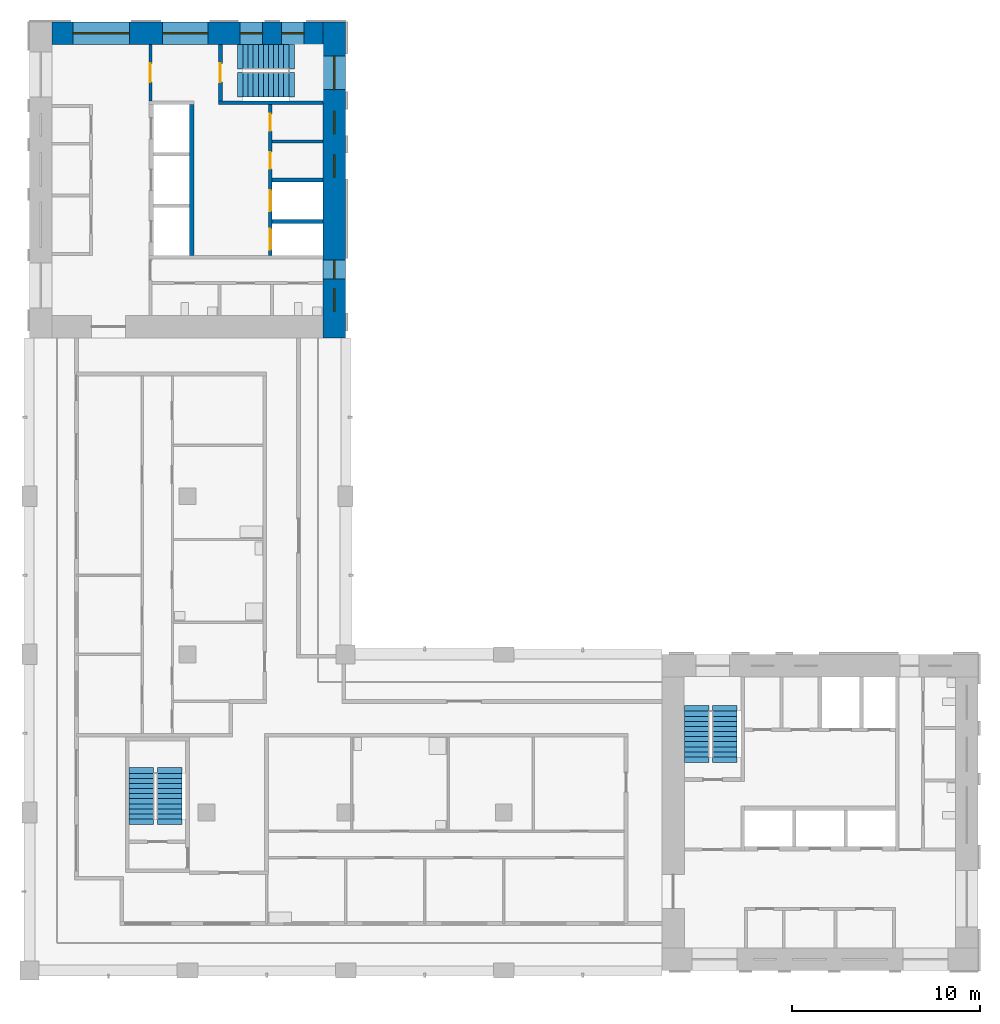
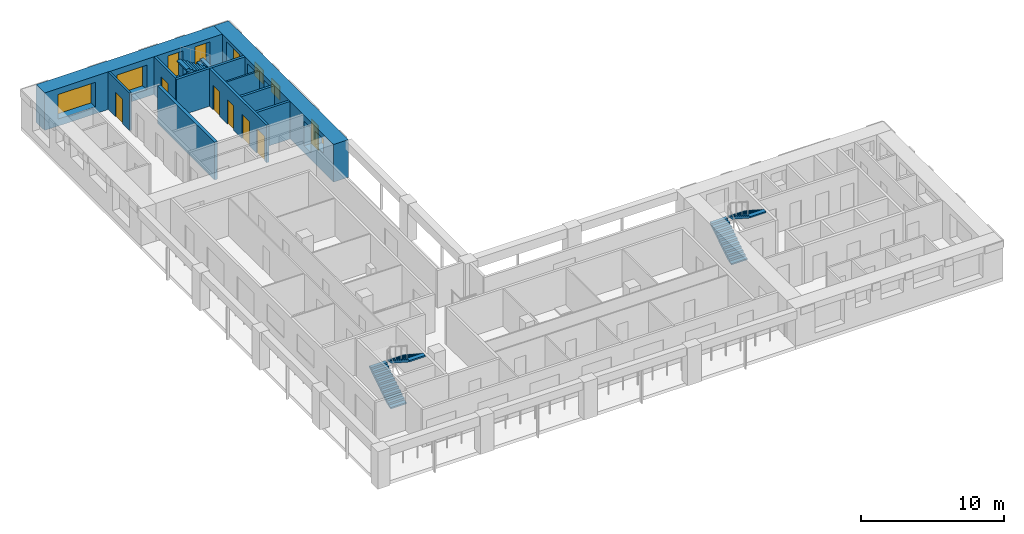
# One storey, part 6 of 9: 10 walls, 9 windows, 6 doors, 6 stair flights, 15 openings, 3 elements without a shape of their own.
"""IFC4 building model written with IfcOpenShell, lengths in metres."""

from ifc_helpers import new_model, si_unit, direction, frame, frame_2d, origin, place, context, subcontext, project, spatial, polyline, rectangle, outline, extrude, material, layer, layer_set, type_object, element, fill, aggregate, save


model = new_model("IFC4")

# Units and contexts
model_context = context("Model", 3, precision=1e-05, world=origin(), true_north=direction((0.0, 1.0)))
body_context = subcontext(model_context, "Body", "Model", "MODEL_VIEW")
ifc_project = project(units=[si_unit("LENGTHUNIT", "METRE"), si_unit("AREAUNIT", "SQUARE_METRE"), si_unit("VOLUMEUNIT", "CUBIC_METRE"), si_unit("PLANEANGLEUNIT", "RADIAN"), si_unit("MASSUNIT", "GRAM", prefix="KILO")], contexts=[model_context])

# Site, building, storey
site_placement = place(None, origin())
site = spatial("IfcSite", under=ifc_project, at=site_placement, CompositionType="ELEMENT")
building_placement = place(site_placement, origin())
building = spatial("IfcBuilding", under=site, at=building_placement, Name="Vermilion Gate Residences", CompositionType="ELEMENT")
storey_placement = place(building_placement, frame((0.0, 0.0, 228.199951171875)))
storey = spatial("IfcBuildingStorey", under=building, at=storey_placement, Name="L59", CompositionType="ELEMENT", Elevation=228.199951171875)

# Wall
ifc_material_1 = material(Name="Masonry blockwork", Category="masonry")
ifc_layer_1 = layer(ifc_material_1, 0.14990234375)
ifc_layer_set_1 = layer_set([ifc_layer_1], Name="BLOCKWORK PARTITION 150 EI 120")
wall_type_1 = type_object("IfcWallType", Name="BLOCKWORK PARTITION 150 EI 120", PredefinedType="PARTITIONING", material=ifc_layer_set_1)
wall_1_placement = place(storey_placement, frame((21.300048828125, 52.449951171875, 0.0), z_axis=(0.0, 0.0, 1.0), x_axis=(1.0, 0.0, 0.0)))
element("IfcWall", 1, at=wall_1_placement, inside=storey, type_object=wall_type_1, Name="Core room partition B59-NR-P0", PredefinedType="PARTITIONING", context=body_context, shape_type="SweptSolid", body=[
    extrude(rectangle(XDim=2.699951171875, YDim=0.14990234375, at=frame_2d((1.35009765625, 0.0))), origin(), (0.0, 0.0, 1.0), 3.219970703125),
])

# Wall, opening, door
wall_2_placement = place(storey_placement, frame((14.824951171875, 57.60009765625, 0.0), z_axis=(0.0, 0.0, 1.0), x_axis=(0.0, -1.0, 0.0)))
wall_2 = element("IfcWall", 2, at=wall_2_placement, inside=storey, type_object=wall_type_1, Name="Core room partition B59-VW-S", PredefinedType="PARTITIONING", context=body_context, shape_type="SweptSolid", body=[
    extrude(rectangle(XDim=3.0, YDim=0.14990234375, at=frame_2d((1.5, 0.0))), origin(), (0.0, 0.0, 1.0), 3.219970703125),
])
opening_1_placement = place(wall_2_placement, frame((1.0, 0.0, 0.0)))
opening_1 = element("IfcOpeningElement", 3, at=opening_1_placement, cuts=wall_2, Name="Opening DK59112", PredefinedType="OPENING", context=body_context, shape_type="SweptSolid", body=[
    extrude(rectangle(XDim=1.0, YDim=2.10009765625, at=frame_2d((0.5, 1.050048828125))), frame((0.0, 0.0849609375, 0.0), z_axis=(0.0, -1.0, 0.0), x_axis=(1.0, 0.0, 0.0)), (0.0, 0.0, 1.0), 0.169921875),
])
ifc_material_2 = material(Name="Steel", Category="steel")
door_type_1 = type_object("IfcDoorType", Name="FIRE DOOR FD60 1000 X 2100", OperationType="SINGLE_SWING_LEFT", PredefinedType="DOOR", material=ifc_material_2)
door_1_placement = place(opening_1_placement, frame((1.0, 0.0, 0.0), z_axis=(0.0, 0.0, 1.0), x_axis=(-1.0, 0.0, 0.0)))
door_1 = element("IfcDoor", 4, at=door_1_placement, inside=storey, type_object=door_type_1, Name="Stair vestibule door B59", OperationType="SINGLE_SWING_RIGHT", OverallHeight=2.10009765625, OverallWidth=1.0, PredefinedType="DOOR", context=body_context, shape_type="SweptSolid", body=[
    extrude(rectangle(XDim=1.0, YDim=2.10009765625, at=frame_2d((0.5, 1.050048828125))), frame((0.0, 0.02490234375, 0.0), z_axis=(0.0, -1.0, 0.0), x_axis=(1.0, 0.0, 0.0)), (0.0, 0.0, 1.0), 0.050048828125),
])
fill(opening_1, door_1)

# Walls
ifc_material_3 = material(Name="Concrete C60", Category="concrete")
ifc_layer_2 = layer(ifc_material_3, 0.199951171875)
ifc_layer_set_2 = layer_set([ifc_layer_2], Name="RC CORE INTERNAL WALL 200 C60")
wall_type_2 = type_object("IfcWallType", Name="RC CORE INTERNAL WALL 200 C60", PredefinedType="SHEAR", material=ifc_layer_set_2)
for number, where, z_axis, x_axis, name in (
    (5, (21.300048828125, 50.39990234375, 0.0), (0.0, 0.0, 1.0), (1.0, 0.0, 0.0), "Core internal wall B59-FF-D0"),
    (6, (21.300048828125, 48.199951171875, 0.0), (0.0, 0.0, 1.0), (1.0, 0.0, 0.0), "Core internal wall B59-FF-D1"),
):
    element("IfcWall", number, at=place(storey_placement, frame(where, z_axis=z_axis, x_axis=x_axis)), inside=storey, type_object=wall_type_2, Name=name, PredefinedType="SHEAR", context=body_context, shape_type="SweptSolid", body=[
        extrude(rectangle(XDim=2.699951171875, YDim=0.199951171875, at=frame_2d((1.35009765625, 0.0))), origin(), (0.0, 0.0, 1.0), 3.219970703125),
    ])

# Wall, openings, doors
wall_3_placement = place(storey_placement, frame((21.199951171875, 54.39990234375, 0.0), z_axis=(0.0, 0.0, 1.0), x_axis=(0.0, -1.0, 0.0)))
wall_3 = element("IfcWall", 7, at=wall_3_placement, inside=storey, type_object=wall_type_2, Name="Core internal wall B59-FF-F", PredefinedType="SHEAR", context=body_context, shape_type="SweptSolid", body=[
    extrude(rectangle(XDim=8.0, YDim=0.199951171875, at=frame_2d((4.0, 0.0))), origin(), (0.0, 0.0, 1.0), 3.219970703125),
])
opening_2_placement = place(wall_3_placement, frame((0.487548828125, 0.0, 0.0)))
opening_2 = element("IfcOpeningElement", 8, at=opening_2_placement, cuts=wall_3, Name="Opening DK59108", PredefinedType="OPENING", context=body_context, shape_type="SweptSolid", body=[
    extrude(rectangle(XDim=0.89990234375, YDim=2.10009765625, at=frame_2d((0.449951171875, 1.050048828125))), frame((0.0, 0.10986328125, 0.0), z_axis=(0.0, -1.0, 0.0), x_axis=(1.0, 0.0, 0.0)), (0.0, 0.0, 1.0), 0.219970703125),
])
opening_3_placement = place(wall_3_placement, frame((2.512451171875, 0.0, 0.0)))
opening_3 = element("IfcOpeningElement", 9, at=opening_3_placement, cuts=wall_3, Name="Opening DK59109", PredefinedType="OPENING", context=body_context, shape_type="SweptSolid", body=[
    extrude(rectangle(XDim=0.89990234375, YDim=2.10009765625, at=frame_2d((0.449951171875, 1.050048828125))), frame((0.0, 0.10986328125, 0.0), z_axis=(0.0, -1.0, 0.0), x_axis=(1.0, 0.0, 0.0)), (0.0, 0.0, 1.0), 0.219970703125),
])
opening_4_placement = place(wall_3_placement, frame((4.550048828125, 0.0, 0.0)))
opening_4 = element("IfcOpeningElement", 10, at=opening_4_placement, cuts=wall_3, Name="Opening LD", PredefinedType="OPENING", context=body_context, shape_type="SweptSolid", body=[
    extrude(rectangle(XDim=1.10009765625, YDim=2.10009765625, at=frame_2d((0.550048828125, 1.050048828125))), frame((0.0, 0.10986328125, 0.0), z_axis=(0.0, -1.0, 0.0), x_axis=(1.0, 0.0, 0.0)), (0.0, 0.0, 1.0), 0.219970703125),
])
opening_5_placement = place(wall_3_placement, frame((6.60009765625, 0.0, 0.0)))
opening_5 = element("IfcOpeningElement", 11, at=opening_5_placement, cuts=wall_3, Name="Opening LD", PredefinedType="OPENING", context=body_context, shape_type="SweptSolid", body=[
    extrude(rectangle(XDim=1.10009765625, YDim=2.10009765625, at=frame_2d((0.550048828125, 1.050048828125))), frame((0.0, 0.10986328125, 0.0), z_axis=(0.0, -1.0, 0.0), x_axis=(1.0, 0.0, 0.0)), (0.0, 0.0, 1.0), 0.219970703125),
])
ifc_material_4 = material(Name="Stainless steel", Category="steel")
door_type_2 = type_object("IfcDoorType", Name="LIFT LANDING DOOR E60 1100 X 2100", OperationType="DOUBLE_DOOR_SLIDING", PredefinedType="DOOR", material=ifc_material_4)
door_2_placement = place(opening_4_placement, origin())
door_2 = element("IfcDoor", 12, at=door_2_placement, inside=storey, type_object=door_type_2, Name="Lift landing door LFB1", OperationType="DOUBLE_DOOR_SLIDING", OverallHeight=2.10009765625, OverallWidth=1.10009765625, PredefinedType="DOOR", context=body_context, shape_type="SweptSolid", body=[
    extrude(rectangle(XDim=1.10009765625, YDim=2.10009765625, at=frame_2d((0.550048828125, 1.050048828125))), frame((0.0, 0.02490234375, 0.0), z_axis=(0.0, -1.0, 0.0), x_axis=(1.0, 0.0, 0.0)), (0.0, 0.0, 1.0), 0.050048828125),
])
fill(opening_4, door_2)
door_3_placement = place(opening_5_placement, origin())
door_3 = element("IfcDoor", 13, at=door_3_placement, inside=storey, type_object=door_type_2, Name="Lift landing door LCB1", OperationType="DOUBLE_DOOR_SLIDING", OverallHeight=2.10009765625, OverallWidth=1.10009765625, PredefinedType="DOOR", context=body_context, shape_type="SweptSolid", body=[
    extrude(rectangle(XDim=1.10009765625, YDim=2.10009765625, at=frame_2d((0.550048828125, 1.050048828125))), frame((0.0, 0.02490234375, 0.0), z_axis=(0.0, -1.0, 0.0), x_axis=(1.0, 0.0, 0.0)), (0.0, 0.0, 1.0), 0.050048828125),
])
fill(opening_5, door_3)
ifc_material_5 = material(Name="Steel", Category="steel")
door_type_3 = type_object("IfcDoorType", Name="SERVICE ROOM DOOR FD60 900 X 2100", OperationType="SINGLE_SWING_LEFT", PredefinedType="DOOR", material=ifc_material_5)
door_4_placement = place(opening_2_placement, origin())
door_4 = element("IfcDoor", 14, at=door_4_placement, inside=storey, type_object=door_type_3, Name="Housekeeping store B59", OperationType="SINGLE_SWING_RIGHT", OverallHeight=2.10009765625, OverallWidth=0.89990234375, PredefinedType="DOOR", context=body_context, shape_type="SweptSolid", body=[
    extrude(rectangle(XDim=0.89990234375, YDim=2.10009765625, at=frame_2d((0.449951171875, 1.050048828125))), frame((0.0, 0.02490234375, 0.0), z_axis=(0.0, -1.0, 0.0), x_axis=(1.0, 0.0, 0.0)), (0.0, 0.0, 1.0), 0.050048828125),
])
fill(opening_2, door_4)
door_5_placement = place(opening_3_placement, origin())
door_5 = element("IfcDoor", 15, at=door_5_placement, inside=storey, type_object=door_type_3, Name="Mail room B59", OperationType="SINGLE_SWING_RIGHT", OverallHeight=2.10009765625, OverallWidth=0.89990234375, PredefinedType="DOOR", context=body_context, shape_type="SweptSolid", body=[
    extrude(rectangle(XDim=0.89990234375, YDim=2.10009765625, at=frame_2d((0.449951171875, 1.050048828125))), frame((0.0, 0.02490234375, 0.0), z_axis=(0.0, -1.0, 0.0), x_axis=(1.0, 0.0, 0.0)), (0.0, 0.0, 1.0), 0.050048828125),
])
fill(opening_3, door_5)

# Wall
wall_4_placement = place(storey_placement, frame((18.449951171875, 54.5, 0.0), z_axis=(0.0, 0.0, 1.0), x_axis=(1.0, 0.0, 0.0)))
element("IfcWall", 16, at=wall_4_placement, inside=storey, type_object=wall_type_2, Name="Core internal wall B59-WDIV2", PredefinedType="SHEAR", context=body_context, shape_type="SweptSolid", body=[
    extrude(rectangle(XDim=5.550048828125, YDim=0.199951171875, at=frame_2d((2.77490234375, 0.0))), origin(), (0.0, 0.0, 1.0), 3.219970703125),
])

# Wall, opening, door
wall_5_placement = place(storey_placement, frame((18.550048828125, 57.60009765625, 0.0), z_axis=(0.0, 0.0, 1.0), x_axis=(0.0, -1.0, 0.0)))
wall_5 = element("IfcWall", 17, at=wall_5_placement, inside=storey, type_object=wall_type_2, Name="Core internal wall B59-STW-S", PredefinedType="SHEAR", context=body_context, shape_type="SweptSolid", body=[
    extrude(rectangle(XDim=3.0, YDim=0.199951171875, at=frame_2d((1.5, 0.0))), origin(), (0.0, 0.0, 1.0), 3.219970703125),
])
opening_6_placement = place(wall_5_placement, frame((1.0, 0.0, 0.0)))
opening_6 = element("IfcOpeningElement", 18, at=opening_6_placement, cuts=wall_5, Name="Opening DK59113", PredefinedType="OPENING", context=body_context, shape_type="SweptSolid", body=[
    extrude(rectangle(XDim=1.0, YDim=2.10009765625, at=frame_2d((0.5, 1.050048828125))), frame((0.0, 0.10986328125, 0.0), z_axis=(0.0, -1.0, 0.0), x_axis=(1.0, 0.0, 0.0)), (0.0, 0.0, 1.0), 0.219970703125),
])
door_6_placement = place(opening_6_placement, origin())
door_6 = element("IfcDoor", 19, at=door_6_placement, inside=storey, type_object=door_type_1, Name="Stair door B59", OperationType="SINGLE_SWING_LEFT", OverallHeight=2.10009765625, OverallWidth=1.0, PredefinedType="DOOR", context=body_context, shape_type="SweptSolid", body=[
    extrude(rectangle(XDim=1.0, YDim=2.10009765625, at=frame_2d((0.5, 1.050048828125))), frame((0.0, 0.02490234375, 0.0), z_axis=(0.0, -1.0, 0.0), x_axis=(1.0, 0.0, 0.0)), (0.0, 0.0, 1.0), 0.050048828125),
])
fill(opening_6, door_6)

# Wall, openings, windows
ifc_material_6 = material(Name="Concrete C50 red-oxide pigmented", Category="concrete")
ifc_layer_3 = layer(ifc_material_6, 1.199951171875)
ifc_layer_set_3 = layer_set([ifc_layer_3], Name="RC CORE WALL 1200 C50 RED OXIDE")
wall_type_3 = type_object("IfcWallType", Name="RC CORE WALL 1200 C50 RED OXIDE", PredefinedType="SHEAR", material=ifc_layer_set_3)
wall_6_placement = place(storey_placement, frame((24.60009765625, 58.800048828125, 0.0), z_axis=(0.0, 0.0, 1.0), x_axis=(0.0, -1.0, 0.0)))
wall_6 = element("IfcWall", 20, at=wall_6_placement, inside=storey, type_object=wall_type_3, Name="Core wall B59-OUT-B1", PredefinedType="SHEAR", context=body_context, shape_type="SweptSolid", body=[
    extrude(rectangle(XDim=16.800048828125, YDim=1.199951171875, at=frame_2d((8.39990234375, 0.0))), origin(), (0.0, 0.0, 1.0), 3.219970703125),
])
opening_7_placement = place(wall_6_placement, frame((1.800048828125, 0.0, 0.5)))
opening_7 = element("IfcOpeningElement", 21, at=opening_7_placement, cuts=wall_6, Name="Opening WKB5906", PredefinedType="OPENING", context=body_context, shape_type="SweptSolid", body=[
    extrude(rectangle(XDim=1.800048828125, YDim=2.39990234375, at=frame_2d((0.89990234375, 1.199951171875))), frame((0.0, 0.60986328125, 0.0), z_axis=(0.0, -1.0, 0.0), x_axis=(1.0, 0.0, 0.0)), (0.0, 0.0, 1.0), 1.219970703125),
])
opening_8_placement = place(wall_6_placement, frame((4.737548828125, 0.0, 1.60009765625)))
opening_8 = element("IfcOpeningElement", 22, at=opening_8_placement, cuts=wall_6, Name="Opening WKB5907", PredefinedType="OPENING", context=body_context, shape_type="SweptSolid", body=[
    extrude(rectangle(XDim=1.199951171875, YDim=1.199951171875, at=frame_2d((0.60009765625, 0.60009765625))), frame((0.0, 0.60986328125, 0.0), z_axis=(0.0, -1.0, 0.0), x_axis=(1.0, 0.0, 0.0)), (0.0, 0.0, 1.0), 1.219970703125),
])
opening_9_placement = place(wall_6_placement, frame((7.050048828125, 0.0, 1.60009765625)))
opening_9 = element("IfcOpeningElement", 23, at=opening_9_placement, cuts=wall_6, Name="Opening WKB5908", PredefinedType="OPENING", context=body_context, shape_type="SweptSolid", body=[
    extrude(rectangle(XDim=1.199951171875, YDim=1.199951171875, at=frame_2d((0.60009765625, 0.60009765625))), frame((0.0, 0.60986328125, 0.0), z_axis=(0.0, -1.0, 0.0), x_axis=(1.0, 0.0, 0.0)), (0.0, 0.0, 1.0), 1.219970703125),
])
opening_10_placement = place(wall_6_placement, frame((12.64990234375, 0.0, 0.60009765625)))
opening_10 = element("IfcOpeningElement", 24, at=opening_10_placement, cuts=wall_6, Name="Opening WKB5909", PredefinedType="OPENING", context=body_context, shape_type="SweptSolid", body=[
    extrude(rectangle(XDim=1.0, YDim=2.10009765625, at=frame_2d((0.5, 1.050048828125))), frame((0.0, 0.60986328125, 0.0), z_axis=(0.0, -1.0, 0.0), x_axis=(1.0, 0.0, 0.0)), (0.0, 0.0, 1.0), 1.219970703125),
])
opening_11_placement = place(wall_6_placement, frame((14.175048828125, 0.0, 1.60009765625)))
opening_11 = element("IfcOpeningElement", 25, at=opening_11_placement, cuts=wall_6, Name="Opening WKB5910", PredefinedType="OPENING", context=body_context, shape_type="SweptSolid", body=[
    extrude(rectangle(XDim=1.199951171875, YDim=1.199951171875, at=frame_2d((0.60009765625, 0.60009765625))), frame((0.0, 0.60986328125, 0.0), z_axis=(0.0, -1.0, 0.0), x_axis=(1.0, 0.0, 0.0)), (0.0, 0.0, 1.0), 1.219970703125),
])
ifc_material_7 = material(Name="Aluminium and clear glass", Category="aluminium")
window_type_1 = type_object("IfcWindowType", Name="CORE CORRIDOR WINDOW 1000 X 2100", PartitioningType="SINGLE_PANEL", PredefinedType="WINDOW", material=ifc_material_7)
window_1_placement = place(opening_10_placement, origin())
window_1 = element("IfcWindow", 26, at=window_1_placement, inside=storey, type_object=window_type_1, Name="Core corridor window", OverallHeight=2.10009765625, OverallWidth=1.0, PartitioningType="SINGLE_PANEL", PredefinedType="WINDOW", context=body_context, shape_type="SweptSolid", body=[
    extrude(rectangle(XDim=1.0, YDim=2.10009765625, at=frame_2d((0.5, 1.050048828125))), frame((0.0, 0.030029296875, 0.0), z_axis=(0.0, -1.0, 0.0), x_axis=(1.0, 0.0, 0.0)), (0.0, 0.0, 1.0), 0.06005859375),
])
fill(opening_10, window_1)
ifc_material_8 = material(Name="Aluminium frame with louvre blades", Category="aluminium")
window_type_2 = type_object("IfcWindowType", Name="CORE LOUVRE 1200 X 1200", PartitioningType="SINGLE_PANEL", PredefinedType="WINDOW", material=ifc_material_8)
window_2_placement = place(opening_8_placement, origin())
window_2 = element("IfcWindow", 27, at=window_2_placement, inside=storey, type_object=window_type_2, Name="Core louvre", OverallHeight=1.199951171875, OverallWidth=1.199951171875, PartitioningType="SINGLE_PANEL", PredefinedType="WINDOW", context=body_context, shape_type="SweptSolid", body=[
    extrude(rectangle(XDim=1.199951171875, YDim=1.199951171875, at=frame_2d((0.60009765625, 0.60009765625))), frame((0.0, 0.030029296875, 0.0), z_axis=(0.0, -1.0, 0.0), x_axis=(1.0, 0.0, 0.0)), (0.0, 0.0, 1.0), 0.06005859375),
])
fill(opening_8, window_2)
window_3_placement = place(opening_9_placement, origin())
window_3 = element("IfcWindow", 28, at=window_3_placement, inside=storey, type_object=window_type_2, Name="Core louvre", OverallHeight=1.199951171875, OverallWidth=1.199951171875, PartitioningType="SINGLE_PANEL", PredefinedType="WINDOW", context=body_context, shape_type="SweptSolid", body=[
    extrude(rectangle(XDim=1.199951171875, YDim=1.199951171875, at=frame_2d((0.60009765625, 0.60009765625))), frame((0.0, 0.030029296875, 0.0), z_axis=(0.0, -1.0, 0.0), x_axis=(1.0, 0.0, 0.0)), (0.0, 0.0, 1.0), 0.06005859375),
])
fill(opening_9, window_3)
window_4_placement = place(opening_11_placement, origin())
window_4 = element("IfcWindow", 29, at=window_4_placement, inside=storey, type_object=window_type_2, Name="Core louvre", OverallHeight=1.199951171875, OverallWidth=1.199951171875, PartitioningType="SINGLE_PANEL", PredefinedType="WINDOW", context=body_context, shape_type="SweptSolid", body=[
    extrude(rectangle(XDim=1.199951171875, YDim=1.199951171875, at=frame_2d((0.60009765625, 0.60009765625))), frame((0.0, 0.030029296875, 0.0), z_axis=(0.0, -1.0, 0.0), x_axis=(1.0, 0.0, 0.0)), (0.0, 0.0, 1.0), 0.06005859375),
])
fill(opening_11, window_4)
ifc_material_9 = material(Name="Aluminium and clear glass", Category="aluminium")
window_type_3 = type_object("IfcWindowType", Name="CORE STAIR WINDOW 1800 X 2400", PartitioningType="SINGLE_PANEL", PredefinedType="WINDOW", material=ifc_material_9)
window_5_placement = place(opening_7_placement, origin())
window_5 = element("IfcWindow", 30, at=window_5_placement, inside=storey, type_object=window_type_3, Name="Core stair window", OverallHeight=2.39990234375, OverallWidth=1.800048828125, PartitioningType="SINGLE_PANEL", PredefinedType="WINDOW", context=body_context, shape_type="SweptSolid", body=[
    extrude(rectangle(XDim=1.800048828125, YDim=2.39990234375, at=frame_2d((0.89990234375, 1.199951171875))), frame((0.0, 0.030029296875, 0.0), z_axis=(0.0, -1.0, 0.0), x_axis=(1.0, 0.0, 0.0)), (0.0, 0.0, 1.0), 0.06005859375),
])
fill(opening_7, window_5)

wall_7_placement = place(storey_placement, frame((9.60009765625, 58.199951171875, 0.0), z_axis=(0.0, 0.0, 1.0), x_axis=(1.0, 0.0, 0.0)))
wall_7 = element("IfcWall", 31, at=wall_7_placement, inside=storey, type_object=wall_type_3, Name="Core wall B59-OUT-FR", PredefinedType="SHEAR", context=body_context, shape_type="SweptSolid", body=[
    extrude(rectangle(XDim=14.39990234375, YDim=1.199951171875, at=frame_2d((7.199951171875, 0.0))), origin(), (0.0, 0.0, 1.0), 3.219970703125),
])
opening_12_placement = place(wall_7_placement, frame((1.10498046875, 0.0, 0.60009765625)))
opening_12 = element("IfcOpeningElement", 32, at=opening_12_placement, cuts=wall_7, Name="Opening WKB5911", PredefinedType="OPENING", context=body_context, shape_type="SweptSolid", body=[
    extrude(rectangle(XDim=3.0, YDim=2.10009765625, at=frame_2d((1.5, 1.050048828125))), frame((0.0, 0.60986328125, 0.0), z_axis=(0.0, -1.0, 0.0), x_axis=(1.0, 0.0, 0.0)), (0.0, 0.0, 1.0), 1.219970703125),
])
opening_13_placement = place(wall_7_placement, frame((5.875, 0.0, 0.60009765625)))
opening_13 = element("IfcOpeningElement", 33, at=opening_13_placement, cuts=wall_7, Name="Opening WKB5912", PredefinedType="OPENING", context=body_context, shape_type="SweptSolid", body=[
    extrude(rectangle(XDim=2.39990234375, YDim=2.10009765625, at=frame_2d((1.199951171875, 1.050048828125))), frame((0.0, 0.60986328125, 0.0), z_axis=(0.0, -1.0, 0.0), x_axis=(1.0, 0.0, 0.0)), (0.0, 0.0, 1.0), 1.219970703125),
])
opening_14_placement = place(wall_7_placement, frame((9.993408203125, 0.0, 0.5)))
opening_14 = element("IfcOpeningElement", 34, at=opening_14_placement, cuts=wall_7, Name="Opening WKB5913", PredefinedType="OPENING", context=body_context, shape_type="SweptSolid", body=[
    extrude(rectangle(XDim=1.199951171875, YDim=2.39990234375, at=frame_2d((0.60009765625, 1.199951171875))), frame((0.0, 0.60986328125, 0.0), z_axis=(0.0, -1.0, 0.0), x_axis=(1.0, 0.0, 0.0)), (0.0, 0.0, 1.0), 1.219970703125),
])
opening_15_placement = place(wall_7_placement, frame((12.19677734375, 0.0, 0.5)))
opening_15 = element("IfcOpeningElement", 35, at=opening_15_placement, cuts=wall_7, Name="Opening WKB5914", PredefinedType="OPENING", context=body_context, shape_type="SweptSolid", body=[
    extrude(rectangle(XDim=1.199951171875, YDim=2.39990234375, at=frame_2d((0.60009765625, 1.199951171875))), frame((0.0, 0.60986328125, 0.0), z_axis=(0.0, -1.0, 0.0), x_axis=(1.0, 0.0, 0.0)), (0.0, 0.0, 1.0), 1.219970703125),
])
ifc_material_10 = material(Name="Aluminium and clear glass", Category="aluminium")
window_type_4 = type_object("IfcWindowType", Name="CORE LOBBY WINDOW 2400 X 2100", PartitioningType="SINGLE_PANEL", PredefinedType="WINDOW", material=ifc_material_10)
window_6_placement = place(opening_13_placement, origin())
window_6 = element("IfcWindow", 36, at=window_6_placement, inside=storey, type_object=window_type_4, Name="Core lobby window", OverallHeight=2.10009765625, OverallWidth=2.39990234375, PartitioningType="SINGLE_PANEL", PredefinedType="WINDOW", context=body_context, shape_type="SweptSolid", body=[
    extrude(rectangle(XDim=2.39990234375, YDim=2.10009765625, at=frame_2d((1.199951171875, 1.050048828125))), frame((0.0, 0.030029296875, 0.0), z_axis=(0.0, -1.0, 0.0), x_axis=(1.0, 0.0, 0.0)), (0.0, 0.0, 1.0), 0.06005859375),
])
fill(opening_13, window_6)
ifc_material_11 = material(Name="Aluminium and clear glass", Category="aluminium")
window_type_5 = type_object("IfcWindowType", Name="CORE LOBBY WINDOW 3000 X 2100", PartitioningType="SINGLE_PANEL", PredefinedType="WINDOW", material=ifc_material_11)
window_7_placement = place(opening_12_placement, origin())
window_7 = element("IfcWindow", 37, at=window_7_placement, inside=storey, type_object=window_type_5, Name="Core lobby window", OverallHeight=2.10009765625, OverallWidth=3.0, PartitioningType="SINGLE_PANEL", PredefinedType="WINDOW", context=body_context, shape_type="SweptSolid", body=[
    extrude(rectangle(XDim=3.0, YDim=2.10009765625, at=frame_2d((1.5, 1.050048828125))), frame((0.0, 0.030029296875, 0.0), z_axis=(0.0, -1.0, 0.0), x_axis=(1.0, 0.0, 0.0)), (0.0, 0.0, 1.0), 0.06005859375),
])
fill(opening_12, window_7)
ifc_material_12 = material(Name="Aluminium and clear glass", Category="aluminium")
window_type_6 = type_object("IfcWindowType", Name="CORE STAIR WINDOW 1200 X 2400", PartitioningType="SINGLE_PANEL", PredefinedType="WINDOW", material=ifc_material_12)
window_8_placement = place(opening_14_placement, origin())
window_8 = element("IfcWindow", 38, at=window_8_placement, inside=storey, type_object=window_type_6, Name="Core stair window", OverallHeight=2.39990234375, OverallWidth=1.199951171875, PartitioningType="SINGLE_PANEL", PredefinedType="WINDOW", context=body_context, shape_type="SweptSolid", body=[
    extrude(rectangle(XDim=1.199951171875, YDim=2.39990234375, at=frame_2d((0.60009765625, 1.199951171875))), frame((0.0, 0.030029296875, 0.0), z_axis=(0.0, -1.0, 0.0), x_axis=(1.0, 0.0, 0.0)), (0.0, 0.0, 1.0), 0.06005859375),
])
fill(opening_14, window_8)
window_9_placement = place(opening_15_placement, origin())
window_9 = element("IfcWindow", 39, at=window_9_placement, inside=storey, type_object=window_type_6, Name="Core stair window", OverallHeight=2.39990234375, OverallWidth=1.199951171875, PartitioningType="SINGLE_PANEL", PredefinedType="WINDOW", context=body_context, shape_type="SweptSolid", body=[
    extrude(rectangle(XDim=1.199951171875, YDim=2.39990234375, at=frame_2d((0.60009765625, 1.199951171875))), frame((0.0, 0.030029296875, 0.0), z_axis=(0.0, -1.0, 0.0), x_axis=(1.0, 0.0, 0.0)), (0.0, 0.0, 1.0), 0.06005859375),
])
fill(opening_15, window_9)

# Wall
ifc_material_13 = material(Name="Concrete C60", Category="concrete")
ifc_layer_4 = layer(ifc_material_13, 0.25)
ifc_layer_set_4 = layer_set([ifc_layer_4], Name="RC LIFT SHAFT WALL 250 C60")
wall_type_4 = type_object("IfcWallType", Name="RC LIFT SHAFT WALL 250 C60", PredefinedType="SHEAR", material=ifc_layer_set_4)
wall_8_placement = place(storey_placement, frame((17.02490234375, 54.39990234375, 0.0), z_axis=(0.0, 0.0, 1.0), x_axis=(0.0, -1.0, 0.0)))
element("IfcWall", 40, at=wall_8_placement, inside=storey, type_object=wall_type_4, Name="Lift shaft wall B59-HR-B", PredefinedType="SHEAR", context=body_context, shape_type="SweptSolid", body=[
    extrude(rectangle(XDim=8.0, YDim=0.25, at=frame_2d((4.0, 0.0))), origin(), (0.0, 0.0, 1.0), 3.219970703125),
])

# Stair, stair flights
ifc_material_14 = material(Name="Concrete C50", Category="concrete")
stair_type = type_object("IfcStairType", Name="SPECIAL ESCAPE STAIR 1300", PredefinedType="HALF_TURN_STAIR", material=ifc_material_14)
stair_1_placement = place(storey_placement, origin())
stair_1 = element("IfcStair", 41, at=stair_1_placement, inside=storey, type_object=stair_type, Name="Special escape stair STA1-59", PredefinedType="HALF_TURN_STAIR")
ifc_material_15 = material(Name="Concrete C50", Category="concrete")
stair_flight_type = type_object("IfcStairFlightType", Name="STAIR FLIGHT 1300 RC C50", PredefinedType="STRAIGHT", material=ifc_material_15)
stair_flight_1_placement = place(storey_placement, frame((43.85009765625, 19.75, 0.0), z_axis=(0.0, 0.0, 1.0), x_axis=(0.0, 1.0, 0.0)))
stair_flight_1 = element("IfcStairFlight", 42, at=stair_flight_1_placement, type_object=stair_flight_type, Name="STA1-59 flight 1", NumberOfRisers=10, NumberOfTreads=9, PredefinedType="STRAIGHT", RiserHeight=0.175, TreadLength=0.27, context=body_context, shape_type="SweptSolid", body=[
    extrude(outline(polyline([(-0.300048828125, -0.14990234375), (-0.300048828125, -0.030029296875), (0.0, 0.0), (0.0, 0.175048828125), (0.27001953125, 0.175048828125), (0.27001953125, 0.35009765625), (0.5400390625, 0.35009765625), (0.5400390625, 0.52490234375), (0.81005859375, 0.52490234375), (0.81005859375, 0.699951171875), (1.080078125, 0.699951171875), (1.080078125, 0.875), (1.35009765625, 0.875), (1.35009765625, 1.050048828125), (1.6201171875, 1.050048828125), (1.6201171875, 1.22509765625), (1.889892578125, 1.22509765625), (1.889892578125, 1.39990234375), (2.159912109375, 1.39990234375), (2.159912109375, 1.574951171875), (2.429931640625, 1.574951171875), (2.429931640625, 1.75), (2.72998046875, 1.719970703125), (2.72998046875, 1.60009765625), (2.429931640625, 1.396484375), (0.275634765625, 0.0), (-0.300048828125, -0.14990234375)])), frame((0.0, 0.64990234375, 0.0), z_axis=(0.0, -1.0, 0.0), x_axis=(1.0, 0.0, 0.0)), (0.0, 0.0, 1.0), 1.300048828125),
])
stair_flight_2_placement = place(storey_placement, frame((45.35009765625, 22.179931640625, 1.75), z_axis=(0.0, 0.0, 1.0), x_axis=(0.0, -1.0, 0.0)))
stair_flight_2 = element("IfcStairFlight", 43, at=stair_flight_2_placement, type_object=stair_flight_type, Name="STA1-59 flight 2", NumberOfRisers=10, NumberOfTreads=9, PredefinedType="STRAIGHT", RiserHeight=0.175, TreadLength=0.27, context=body_context, shape_type="SweptSolid", body=[
    extrude(outline(polyline([(-0.300048828125, -0.14990234375), (-0.300048828125, -0.030029296875), (0.0, 0.0), (0.0, 0.175048828125), (0.27001953125, 0.175048828125), (0.27001953125, 0.35009765625), (0.5400390625, 0.35009765625), (0.5400390625, 0.52490234375), (0.81005859375, 0.52490234375), (0.81005859375, 0.699951171875), (1.080078125, 0.699951171875), (1.080078125, 0.875), (1.35009765625, 0.875), (1.35009765625, 1.050048828125), (1.6201171875, 1.050048828125), (1.6201171875, 1.22509765625), (1.889892578125, 1.22509765625), (1.889892578125, 1.39990234375), (2.159912109375, 1.39990234375), (2.159912109375, 1.574951171875), (2.429931640625, 1.574951171875), (2.429931640625, 1.75), (2.72998046875, 1.719970703125), (2.72998046875, 1.60009765625), (2.429931640625, 1.396484375), (0.275634765625, 0.0), (-0.300048828125, -0.14990234375)])), frame((0.0, 0.64990234375, 0.0), z_axis=(0.0, -1.0, 0.0), x_axis=(1.0, 0.0, 0.0)), (0.0, 0.0, 1.0), 1.300048828125),
])
aggregate(stair_1, [stair_flight_1, stair_flight_2])

stair_2_placement = place(storey_placement, origin())
stair_2 = element("IfcStair", 44, at=stair_2_placement, inside=storey, type_object=stair_type, Name="Special escape stair STB1-59", PredefinedType="HALF_TURN_STAIR")
stair_flight_3_placement = place(storey_placement, frame((19.75, 56.949951171875, 0.0), z_axis=(0.0, 0.0, 1.0), x_axis=(1.0, 0.0, 0.0)))
stair_flight_3 = element("IfcStairFlight", 45, at=stair_flight_3_placement, type_object=stair_flight_type, Name="STB1-59 flight 1", NumberOfRisers=10, NumberOfTreads=9, PredefinedType="STRAIGHT", RiserHeight=0.175, TreadLength=0.27, context=body_context, shape_type="SweptSolid", body=[
    extrude(outline(polyline([(-0.300048828125, -0.14990234375), (-0.300048828125, -0.030029296875), (0.0, 0.0), (0.0, 0.175048828125), (0.27001953125, 0.175048828125), (0.27001953125, 0.35009765625), (0.5400390625, 0.35009765625), (0.5400390625, 0.52490234375), (0.81005859375, 0.52490234375), (0.81005859375, 0.699951171875), (1.080078125, 0.699951171875), (1.080078125, 0.875), (1.35009765625, 0.875), (1.35009765625, 1.050048828125), (1.6201171875, 1.050048828125), (1.6201171875, 1.22509765625), (1.889892578125, 1.22509765625), (1.889892578125, 1.39990234375), (2.159912109375, 1.39990234375), (2.159912109375, 1.574951171875), (2.429931640625, 1.574951171875), (2.429931640625, 1.75), (2.72998046875, 1.719970703125), (2.72998046875, 1.60009765625), (2.429931640625, 1.396484375), (0.275634765625, 0.0), (-0.300048828125, -0.14990234375)])), frame((0.0, 0.64990234375, 0.0), z_axis=(0.0, -1.0, 0.0), x_axis=(1.0, 0.0, 0.0)), (0.0, 0.0, 1.0), 1.300048828125),
])
stair_flight_4_placement = place(storey_placement, frame((22.179931640625, 55.449951171875, 1.75), z_axis=(0.0, 0.0, 1.0), x_axis=(-1.0, 0.0, 0.0)))
stair_flight_4 = element("IfcStairFlight", 46, at=stair_flight_4_placement, type_object=stair_flight_type, Name="STB1-59 flight 2", NumberOfRisers=10, NumberOfTreads=9, PredefinedType="STRAIGHT", RiserHeight=0.175, TreadLength=0.27, context=body_context, shape_type="SweptSolid", body=[
    extrude(outline(polyline([(-0.300048828125, -0.14990234375), (-0.300048828125, -0.030029296875), (0.0, 0.0), (0.0, 0.175048828125), (0.27001953125, 0.175048828125), (0.27001953125, 0.35009765625), (0.5400390625, 0.35009765625), (0.5400390625, 0.52490234375), (0.81005859375, 0.52490234375), (0.81005859375, 0.699951171875), (1.080078125, 0.699951171875), (1.080078125, 0.875), (1.35009765625, 0.875), (1.35009765625, 1.050048828125), (1.6201171875, 1.050048828125), (1.6201171875, 1.22509765625), (1.889892578125, 1.22509765625), (1.889892578125, 1.39990234375), (2.159912109375, 1.39990234375), (2.159912109375, 1.574951171875), (2.429931640625, 1.574951171875), (2.429931640625, 1.75), (2.72998046875, 1.719970703125), (2.72998046875, 1.60009765625), (2.429931640625, 1.396484375), (0.275634765625, 0.0), (-0.300048828125, -0.14990234375)])), frame((0.0, 0.64990234375, 0.0), z_axis=(0.0, -1.0, 0.0), x_axis=(1.0, 0.0, 0.0)), (0.0, 0.0, 1.0), 1.300048828125),
])
aggregate(stair_2, [stair_flight_3, stair_flight_4])

stair_3_placement = place(storey_placement, origin())
stair_3 = element("IfcStair", 47, at=stair_3_placement, inside=storey, type_object=stair_type, Name="Special escape stair STC1-59", PredefinedType="HALF_TURN_STAIR")
stair_flight_5_placement = place(storey_placement, frame((14.35009765625, 16.449951171875, 0.0), z_axis=(0.0, 0.0, 1.0), x_axis=(0.0, 1.0, 0.0)))
stair_flight_5 = element("IfcStairFlight", 48, at=stair_flight_5_placement, type_object=stair_flight_type, Name="STC1-59 flight 1", NumberOfRisers=10, NumberOfTreads=9, PredefinedType="STRAIGHT", RiserHeight=0.175, TreadLength=0.27, context=body_context, shape_type="SweptSolid", body=[
    extrude(outline(polyline([(-0.300048828125, -0.14990234375), (-0.300048828125, -0.030029296875), (0.0, 0.0), (0.0, 0.175048828125), (0.27001953125, 0.175048828125), (0.27001953125, 0.35009765625), (0.5400390625, 0.35009765625), (0.5400390625, 0.52490234375), (0.81005859375, 0.52490234375), (0.81005859375, 0.699951171875), (1.080078125, 0.699951171875), (1.080078125, 0.875), (1.35009765625, 0.875), (1.35009765625, 1.050048828125), (1.6201171875, 1.050048828125), (1.6201171875, 1.22509765625), (1.889892578125, 1.22509765625), (1.889892578125, 1.39990234375), (2.159912109375, 1.39990234375), (2.159912109375, 1.574951171875), (2.429931640625, 1.574951171875), (2.429931640625, 1.75), (2.72998046875, 1.719970703125), (2.72998046875, 1.60009765625), (2.429931640625, 1.396484375), (0.275634765625, 0.0), (-0.300048828125, -0.14990234375)])), frame((0.0, 0.64990234375, 0.0), z_axis=(0.0, -1.0, 0.0), x_axis=(1.0, 0.0, 0.0)), (0.0, 0.0, 1.0), 1.300048828125),
])
stair_flight_6_placement = place(storey_placement, frame((15.85009765625, 18.8798828125, 1.75), z_axis=(0.0, 0.0, 1.0), x_axis=(0.0, -1.0, 0.0)))
stair_flight_6 = element("IfcStairFlight", 49, at=stair_flight_6_placement, type_object=stair_flight_type, Name="STC1-59 flight 2", NumberOfRisers=10, NumberOfTreads=9, PredefinedType="STRAIGHT", RiserHeight=0.175, TreadLength=0.27, context=body_context, shape_type="SweptSolid", body=[
    extrude(outline(polyline([(-0.300048828125, -0.14990234375), (-0.300048828125, -0.030029296875), (0.0, 0.0), (0.0, 0.175048828125), (0.27001953125, 0.175048828125), (0.27001953125, 0.35009765625), (0.5400390625, 0.35009765625), (0.5400390625, 0.52490234375), (0.81005859375, 0.52490234375), (0.81005859375, 0.699951171875), (1.080078125, 0.699951171875), (1.080078125, 0.875), (1.35009765625, 0.875), (1.35009765625, 1.050048828125), (1.6201171875, 1.050048828125), (1.6201171875, 1.22509765625), (1.889892578125, 1.22509765625), (1.889892578125, 1.39990234375), (2.159912109375, 1.39990234375), (2.159912109375, 1.574951171875), (2.429931640625, 1.574951171875), (2.429931640625, 1.75), (2.72998046875, 1.719970703125), (2.72998046875, 1.60009765625), (2.429931640625, 1.396484375), (0.275634765625, 0.0), (-0.300048828125, -0.14990234375)])), frame((0.0, 0.64990234375, 0.0), z_axis=(0.0, -1.0, 0.0), x_axis=(1.0, 0.0, 0.0)), (0.0, 0.0, 1.0), 1.300048828125),
])
aggregate(stair_3, [stair_flight_5, stair_flight_6])

save(model, "model.ifc")
